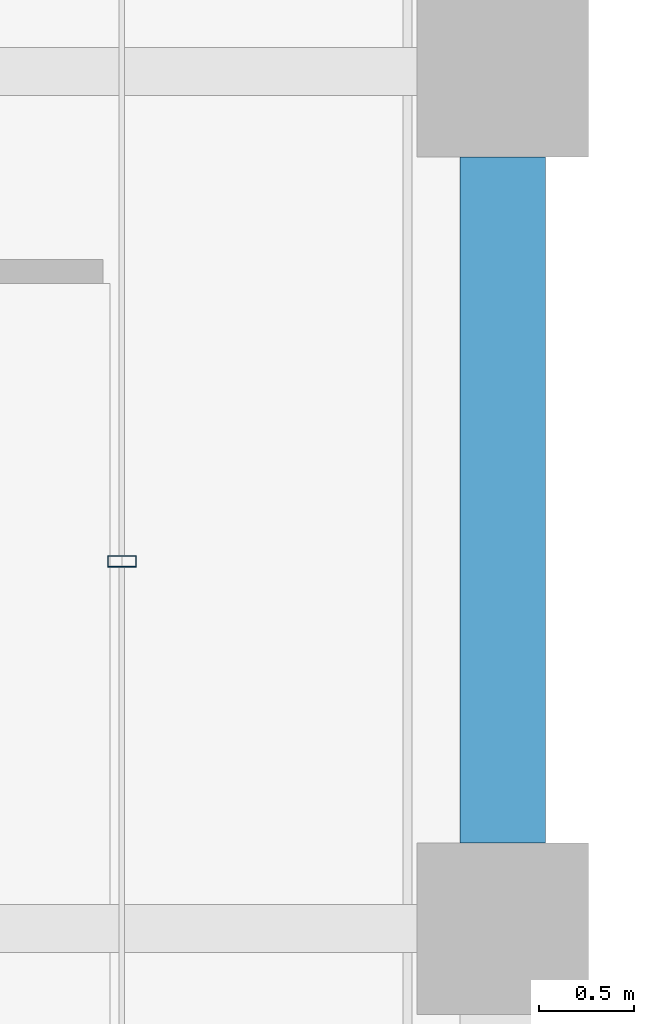
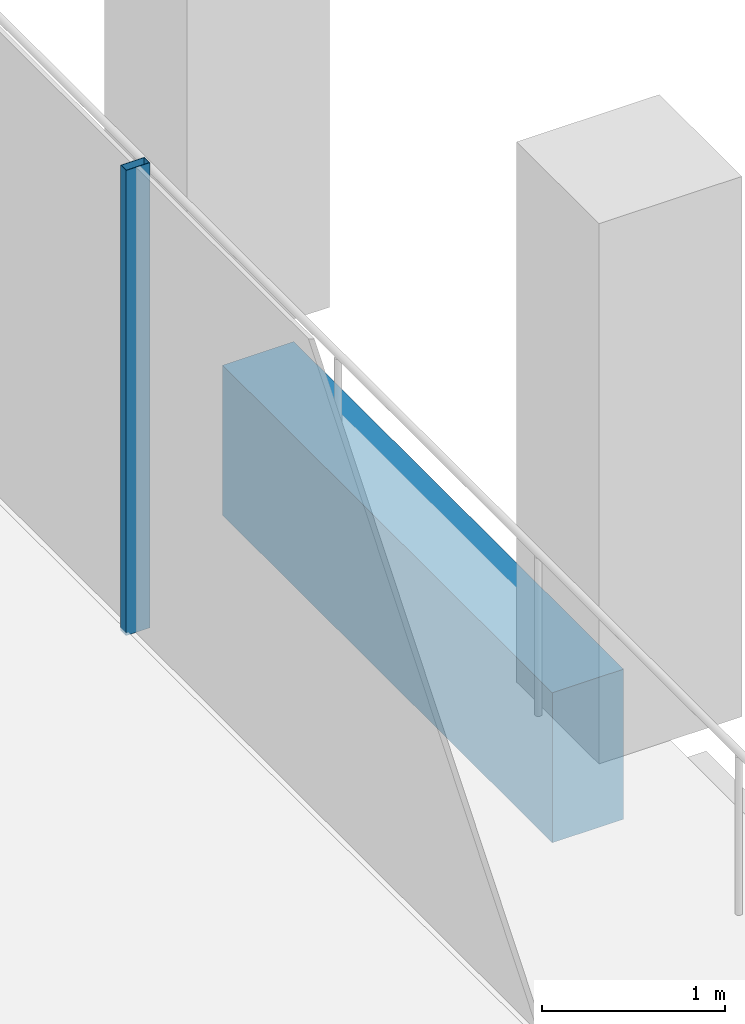
# One storey, part 17 of 40: 1 beam, 1 member, 1 element without a shape of its own.
"""IFC4 building model written with IfcOpenShell, lengths in metres."""

from ifc_helpers import new_model, si_unit, direction, frame, origin, origin_2d, place, context, subcontext, project, spatial, rectangle, hollow_rectangle, extrude, material, material_profile, profile_set, type_object, element, aggregate, save


model = new_model("IFC4")

# Units and contexts
model_context = context("Model", 3, precision=1e-05, world=origin(), true_north=direction((0.0, 1.0)))
body_context = subcontext(model_context, "Body", "Model", "MODEL_VIEW")
ifc_project = project(units=[si_unit("LENGTHUNIT", "METRE"), si_unit("AREAUNIT", "SQUARE_METRE"), si_unit("VOLUMEUNIT", "CUBIC_METRE"), si_unit("PLANEANGLEUNIT", "RADIAN"), si_unit("MASSUNIT", "GRAM", prefix="KILO")], contexts=[model_context])

# Site, building, storey
site_placement = place(None, origin())
site = spatial("IfcSite", under=ifc_project, at=site_placement, CompositionType="ELEMENT")
building_placement = place(site_placement, origin())
building = spatial("IfcBuilding", under=site, at=building_placement, Name="Altepetl Exchange Towers", CompositionType="ELEMENT")
storey_placement = place(building_placement, frame((0.0, 0.0, 154.60009765625)))
storey = spatial("IfcBuildingStorey", under=building, at=storey_placement, Name="L38", CompositionType="ELEMENT", Elevation=154.60009765625)

# Curtain wall, member
ifc_material_1 = material(Name="Aluminium 6063-T6 glazing", Category="aluminium")
curtain_wall_type = type_object("IfcCurtainWallType", Name="Loggia glazing system", PredefinedType="NOTDEFINED", material=ifc_material_1)
curtain_wall_placement = place(storey_placement, origin())
curtain_wall = element("IfcCurtainWall", 1, at=curtain_wall_placement, inside=storey, type_object=curtain_wall_type, Name="CW1 run", PredefinedType="NOTDEFINED")
ifc_material_2 = material(Name="Aluminium 6063-T6", Category="aluminium")
ifc_material_profile_1 = material_profile(ifc_material_2, hollow_rectangle(XDim=0.06005859375, YDim=0.14990234375, WallThickness=0.0029296875, at=origin_2d()), Name="Mullion 60x150 aluminium")
ifc_profile_set_1 = profile_set([ifc_material_profile_1], Name="Aluminium 6063-T6")
member_type = type_object("IfcMemberType", Name="Mullion 60x150 aluminium", PredefinedType="MULLION", material=ifc_profile_set_1)
member_placement = place(storey_placement, frame((70.0, 46.927978515625, 0.0), z_axis=(0.0, 0.0, 1.0), x_axis=(0.0, 1.0, 0.0)))
member = element("IfcMember", 2, at=member_placement, type_object=member_type, Name="MU1 mullion", PredefinedType="MULLION", context=body_context, shape_type="SweptSolid", body=[
    extrude(hollow_rectangle(XDim=0.06005859375, YDim=0.14990234375, WallThickness=0.0029296875, at=origin_2d()), origin(), (0.0, 0.0, 1.0), 3.099853515625),
])
aggregate(curtain_wall, [member])

# Beam
ifc_material_3 = material(Name="Concrete C50/60 precast with cantera amarilla facing", Category="concrete")
ifc_material_profile_2 = material_profile(ifc_material_3, rectangle(XDim=0.449951171875, YDim=1.0, at=origin_2d()), Name="450 x 1000")
ifc_profile_set_2 = profile_set([ifc_material_profile_2], Name="Concrete C50/60 precast with cantera amarilla facing")
beam_type = type_object("IfcBeamType", Name="Spandrel beam 450x1000 cantera amarilla", PredefinedType="SPANDREL", material=ifc_profile_set_2)
beam_placement = place(storey_placement, frame((72.0, 45.449951171875, -0.650146484375), z_axis=(0.0, 1.0, 0.0), x_axis=(-1.0, 0.0, 0.0)))
element("IfcBeam", 3, at=beam_placement, inside=storey, type_object=beam_type, Name="sp:A:L38:015", PredefinedType="SPANDREL", context=body_context, shape_type="SweptSolid", body=[
    extrude(rectangle(XDim=0.449951171875, YDim=1.0, at=origin_2d()), origin(), (0.0, 0.0, 1.0), 3.60009765625),
])

save(model, "model.ifc")
